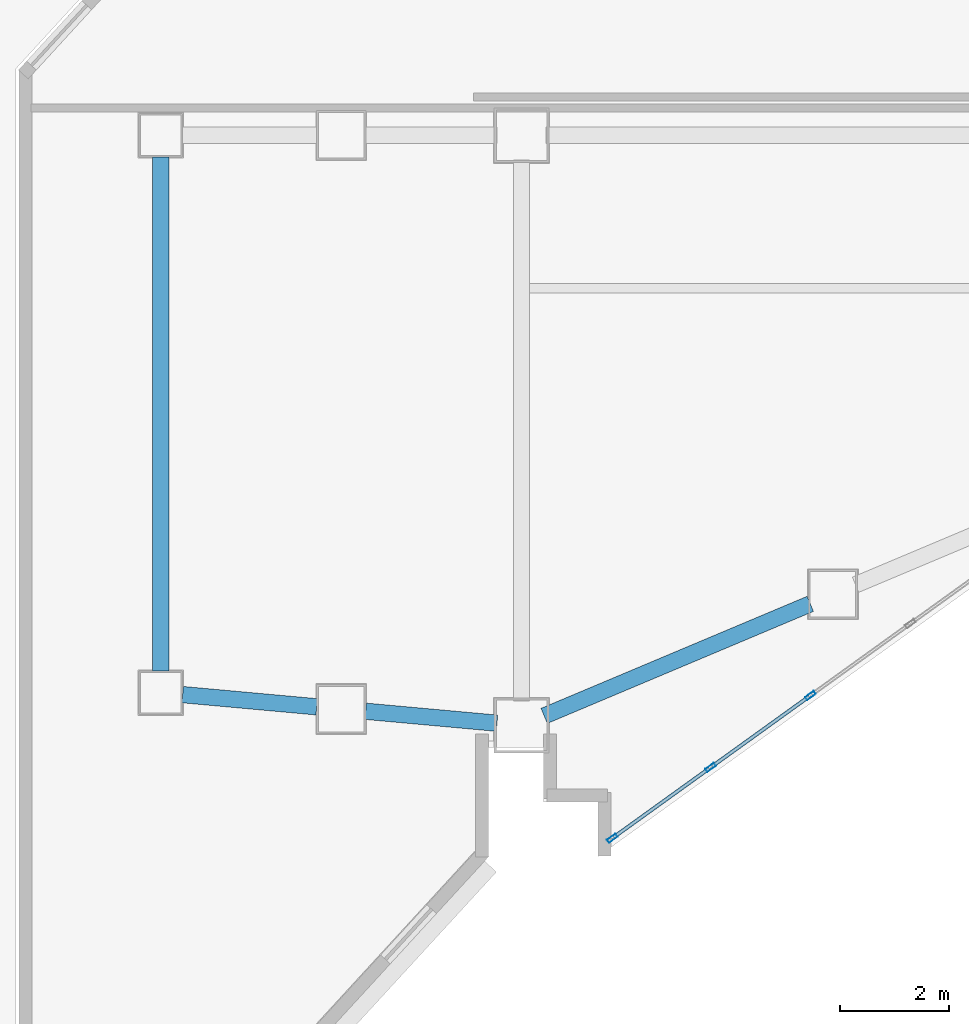
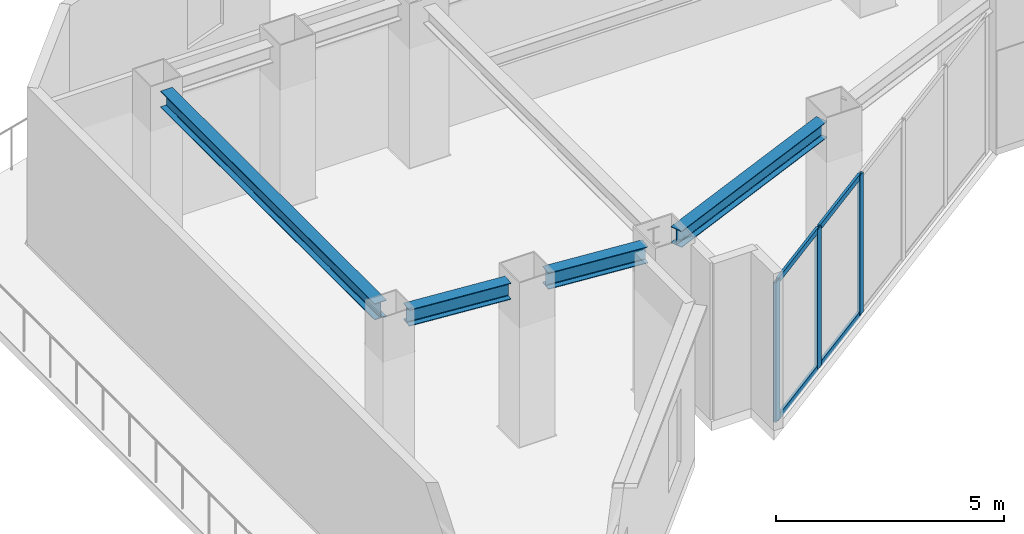
# One storey, part 2 of 19: 7 members, 4 beams, 1 element without a shape of its own.
"""IFC4 building model written with IfcOpenShell, lengths in metres."""

from ifc_helpers import new_model, si_unit, direction, frame, origin, origin_2d, place, context, subcontext, project, spatial, hollow_rectangle, i_section, extrude, material, layer, layer_set, material_profile, profile_set, type_object, element, aggregate, save


model = new_model("IFC4")

# Units and contexts
model_context = context("Model", 3, precision=1e-05, world=origin(), true_north=direction((0.0, 1.0)))
body_context = subcontext(model_context, "Body", "Model", "MODEL_VIEW")
ifc_project = project(units=[si_unit("LENGTHUNIT", "METRE"), si_unit("AREAUNIT", "SQUARE_METRE"), si_unit("VOLUMEUNIT", "CUBIC_METRE"), si_unit("PLANEANGLEUNIT", "RADIAN"), si_unit("MASSUNIT", "GRAM", prefix="KILO")], contexts=[model_context])

# Site, building, storey
site_placement = place(None, origin())
site = spatial("IfcSite", under=ifc_project, at=site_placement, CompositionType="ELEMENT")
building_placement = place(site_placement, origin())
building = spatial("IfcBuilding", under=site, at=building_placement, Name="Haolan Belvedere Tower", CompositionType="ELEMENT")
storey_placement = place(building_placement, frame((0.0, 0.0, 94.0)))
storey = spatial("IfcBuildingStorey", under=building, at=storey_placement, Name="L23", CompositionType="ELEMENT", Elevation=94.0)

# Beams
ifc_material_1 = material(Name="Steel Q355B", Category="steel")
ifc_material_profile_1 = material_profile(ifc_material_1, i_section(OverallWidth=0.300048828125, OverallDepth=0.43994140625, WebThickness=0.010986328125, FlangeThickness=0.01806640625, FilletRadius=0.02392578125, at=origin_2d()), Name="Steel Q355B")
ifc_profile_set_1 = profile_set([ifc_material_profile_1], Name="Steel Q355B")
beam_type = type_object("IfcBeamType", Name="BM-HM440x300x11x18", PredefinedType="SPANDREL", material=ifc_profile_set_1)
beam_1_placement = place(storey_placement, frame((13.0146484375, 16.974609375, 3.97998046875), z_axis=(0.921635375138, 0.388057000058, 0.0), x_axis=(-0.388057000058, 0.921635375138, 0.0)))
element("IfcBeam", 1, at=beam_1_placement, inside=storey, type_object=beam_type, Name="L23 spandrel girder MC-T2-SW-TC-T2-S1", PredefinedType="SPANDREL", context=body_context, shape_type="SweptSolid", body=[
    extrude(i_section(OverallWidth=0.300048828125, OverallDepth=0.43994140625, WebThickness=0.010986328125, FlangeThickness=0.01806640625, FilletRadius=0.02392578125, at=origin_2d()), origin(), (0.0, 0.0, 1.0), 5.28466796875),
])
beam_2_placement = place(storey_placement, frame((6.0, 17.800048828125, 3.97998046875), z_axis=(0.0, 1.0, 0.0), x_axis=(-1.0, 0.0, 0.0)))
element("IfcBeam", 2, at=beam_2_placement, inside=storey, type_object=beam_type, Name="L23 spandrel girder MC-T1-SW-MC-T1-NW", PredefinedType="SPANDREL", context=body_context, shape_type="SweptSolid", body=[
    extrude(i_section(OverallWidth=0.300048828125, OverallDepth=0.43994140625, WebThickness=0.010986328125, FlangeThickness=0.01806640625, FilletRadius=0.02392578125, at=origin_2d()), origin(), (0.0, 0.0, 1.0), 9.39990234375),
])
beam_3_placement = place(storey_placement, frame((6.3984375, 17.36376953125, 3.97998046875), z_axis=(0.995889143855, -0.090580423672, 0.0), x_axis=(0.090580423672, 0.995889143855, 0.0)))
element("IfcBeam", 3, at=beam_3_placement, inside=storey, type_object=beam_type, Name="L23 spandrel girder MC-T1-SW-TC-T1-M1", PredefinedType="SPANDREL", context=body_context, shape_type="SweptSolid", body=[
    extrude(i_section(OverallWidth=0.300048828125, OverallDepth=0.43994140625, WebThickness=0.010986328125, FlangeThickness=0.01806640625, FilletRadius=0.02392578125, at=origin_2d()), origin(), (0.0, 0.0, 1.0), 2.46337890625),
])
beam_4_placement = place(storey_placement, frame((9.748046875, 17.059326171875, 3.97998046875), z_axis=(0.9958940355, -0.090526626221, 0.0), x_axis=(0.090526626221, 0.9958940355, 0.0)))
element("IfcBeam", 4, at=beam_4_placement, inside=storey, type_object=beam_type, Name="L23 spandrel girder TC-T1-M1-MC-T2-SW", PredefinedType="SPANDREL", context=body_context, shape_type="SweptSolid", body=[
    extrude(i_section(OverallWidth=0.300048828125, OverallDepth=0.43994140625, WebThickness=0.010986328125, FlangeThickness=0.01806640625, FilletRadius=0.02392578125, at=origin_2d()), origin(), (0.0, 0.0, 1.0), 2.413818359375),
])

# Curtain wall, members
ifc_material_2 = material(Name="Anodised champagne-silver aluminium 6063-T6 and Low-E glass", Category="aluminium")
ifc_layer = layer(ifc_material_2, 0.195068359375, Name="Anodised champagne-silver aluminium 6063-T6 and Low-E glass")
ifc_layer_set = layer_set([ifc_layer], Name="Anodised champagne-silver aluminium 6063-T6 and Low-E glass")
curtain_wall_type = type_object("IfcCurtainWallType", Name="CW-SYS-06", PredefinedType="NOTDEFINED", material=ifc_layer_set)
curtain_wall_placement = place(storey_placement, origin())
curtain_wall = element("IfcCurtainWall", 5, at=curtain_wall_placement, inside=storey, type_object=curtain_wall_type, Name="L23 CW-SYS-06 ribbon curtain wall 5.1", PredefinedType="NOTDEFINED")
ifc_material_3 = material(Name="Anodised aluminium 6063-T6", Category="aluminium")
ifc_material_profile_2 = material_profile(ifc_material_3, hollow_rectangle(XDim=0.070068359375, YDim=0.195068359375, WallThickness=0.00390625, at=origin_2d()), Name="Anodised aluminium 6063-T6")
ifc_profile_set_2 = profile_set([ifc_material_profile_2], Name="Anodised aluminium 6063-T6")
member_type_1 = type_object("IfcMemberType", Name="CW-SYS-06-MUL", PredefinedType="MULLION", material=ifc_profile_set_2)
member_1_placement = place(storey_placement, frame((14.261962890625, 14.736572265625, 0.0), z_axis=(0.0, 0.0, 1.0), x_axis=(-0.584297005385, 0.811539900127, 0.0)))
member_1 = element("IfcMember", 6, at=member_1_placement, type_object=member_type_1, Name="CW-06 mullion 1", PredefinedType="MULLION", context=body_context, shape_type="SweptSolid", body=[
    extrude(hollow_rectangle(XDim=0.070068359375, YDim=0.195068359375, WallThickness=0.00390625, at=origin_2d()), origin(), (0.0, 0.0, 1.0), 3.7451171875),
])
member_2_placement = place(storey_placement, frame((16.061279296875, 16.031982421875, 0.0), z_axis=(0.0, 0.0, 1.0), x_axis=(-0.584297005385, 0.811539900127, 0.0)))
member_2 = element("IfcMember", 7, at=member_2_placement, type_object=member_type_1, Name="CW-06 mullion 2", PredefinedType="MULLION", context=body_context, shape_type="SweptSolid", body=[
    extrude(hollow_rectangle(XDim=0.070068359375, YDim=0.195068359375, WallThickness=0.00390625, at=origin_2d()), origin(), (0.0, 0.0, 1.0), 3.7451171875),
])
member_3_placement = place(storey_placement, frame((17.888916015625, 17.347900390625, 0.0), z_axis=(0.0, 0.0, 1.0), x_axis=(-0.584297005385, 0.811539900127, 0.0)))
member_3 = element("IfcMember", 8, at=member_3_placement, type_object=member_type_1, Name="CW-06 mullion 3", PredefinedType="MULLION", context=body_context, shape_type="SweptSolid", body=[
    extrude(hollow_rectangle(XDim=0.070068359375, YDim=0.195068359375, WallThickness=0.00390625, at=origin_2d()), origin(), (0.0, 0.0, 1.0), 3.7451171875),
])
ifc_material_profile_3 = material_profile(ifc_material_3, hollow_rectangle(XDim=0.06494140625, YDim=0.14990234375, WallThickness=0.00390625, at=origin_2d()), Name="Anodised aluminium 6063-T6")
ifc_profile_set_3 = profile_set([ifc_material_profile_3], Name="Anodised aluminium 6063-T6")
member_type_2 = type_object("IfcMemberType", Name="CW-SYS-06-TRN", PredefinedType="USERDEFINED", material=ifc_profile_set_3)
member_4_placement = place(storey_placement, frame((14.29052734375, 14.757080078125, 0.032470703125), z_axis=(0.811530027371, 0.584310717577, 0.0), x_axis=(-0.584310717577, 0.811530027371, 0.0)))
member_4 = element("IfcMember", 9, at=member_4_placement, type_object=member_type_2, Name="CW-06 transom 1.1", ObjectType="TRANSOM", PredefinedType="USERDEFINED", context=body_context, shape_type="SweptSolid", body=[
    extrude(hollow_rectangle(XDim=0.06494140625, YDim=0.14990234375, WallThickness=0.00390625, at=origin_2d()), origin(), (0.0, 0.0, 1.0), 2.146728515625),
])
member_5_placement = place(storey_placement, frame((14.29052734375, 14.757080078125, 3.71240234375), z_axis=(0.811530027371, 0.584310717577, 0.0), x_axis=(-0.584310717577, 0.811530027371, 0.0)))
member_5 = element("IfcMember", 10, at=member_5_placement, type_object=member_type_2, Name="CW-06 transom 1.2", ObjectType="TRANSOM", PredefinedType="USERDEFINED", context=body_context, shape_type="SweptSolid", body=[
    extrude(hollow_rectangle(XDim=0.06494140625, YDim=0.14990234375, WallThickness=0.00390625, at=origin_2d()), origin(), (0.0, 0.0, 1.0), 2.146728515625),
])
member_6_placement = place(storey_placement, frame((16.089599609375, 16.052490234375, 0.032470703125), z_axis=(0.811542830435, 0.58429293541, 0.0), x_axis=(-0.58429293541, 0.811542830435, 0.0)))
member_6 = element("IfcMember", 11, at=member_6_placement, type_object=member_type_2, Name="CW-06 transom 2.1", ObjectType="TRANSOM", PredefinedType="USERDEFINED", context=body_context, shape_type="SweptSolid", body=[
    extrude(hollow_rectangle(XDim=0.06494140625, YDim=0.14990234375, WallThickness=0.00390625, at=origin_2d()), origin(), (0.0, 0.0, 1.0), 2.181884765625),
])
member_7_placement = place(storey_placement, frame((16.089599609375, 16.052490234375, 3.71240234375), z_axis=(0.811542830435, 0.58429293541, 0.0), x_axis=(-0.58429293541, 0.811542830435, 0.0)))
member_7 = element("IfcMember", 12, at=member_7_placement, type_object=member_type_2, Name="CW-06 transom 2.2", ObjectType="TRANSOM", PredefinedType="USERDEFINED", context=body_context, shape_type="SweptSolid", body=[
    extrude(hollow_rectangle(XDim=0.06494140625, YDim=0.14990234375, WallThickness=0.00390625, at=origin_2d()), origin(), (0.0, 0.0, 1.0), 2.181884765625),
])
aggregate(curtain_wall, [member_1, member_2, member_3, member_4, member_5, member_6, member_7])

save(model, "model.ifc")
